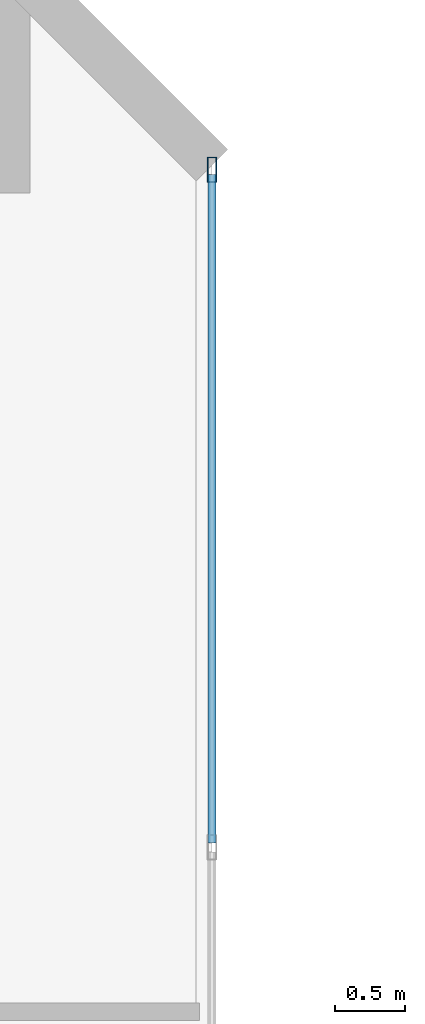
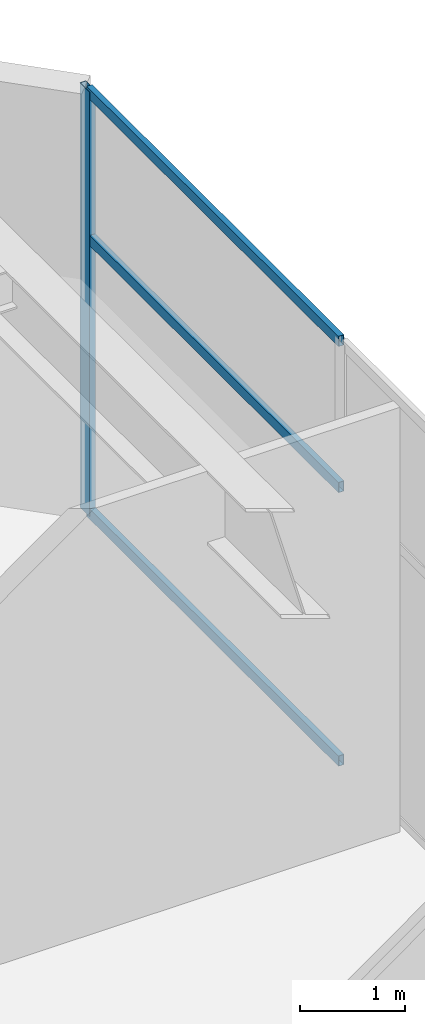
# One storey, part 19 of 29: 4 members, 1 element without a shape of its own.
"""IFC4 building model written with IfcOpenShell, lengths in metres."""

from ifc_helpers import new_model, si_unit, direction, frame, origin, origin_2d, place, context, subcontext, project, spatial, hollow_rectangle, extrude, material, layer, layer_set, material_profile, profile_set, type_object, element, aggregate, save


model = new_model("IFC4")

# Units and contexts
model_context = context("Model", 3, precision=1e-05, world=origin(), true_north=direction((0.0, 1.0)))
body_context = subcontext(model_context, "Body", "Model", "MODEL_VIEW")
ifc_project = project(units=[si_unit("LENGTHUNIT", "METRE"), si_unit("AREAUNIT", "SQUARE_METRE"), si_unit("VOLUMEUNIT", "CUBIC_METRE"), si_unit("PLANEANGLEUNIT", "RADIAN"), si_unit("MASSUNIT", "GRAM", prefix="KILO")], contexts=[model_context])

# Site, building, storey
site_placement = place(None, origin())
site = spatial("IfcSite", under=ifc_project, at=site_placement, CompositionType="ELEMENT")
building_placement = place(site_placement, origin())
building = spatial("IfcBuilding", under=site, at=building_placement, Name="Mawjaban Terraces University", CompositionType="ELEMENT")
storey_placement = place(building_placement, frame((0.0, 0.0, 15.60009765625)))
storey = spatial("IfcBuildingStorey", under=building, at=storey_placement, Name="L03", CompositionType="ELEMENT", Elevation=15.60009765625)

# Curtain wall, members
ifc_material_1 = material(Name="Anodised aluminium 6063-T6 and solar-control low-E glass", Category="aluminium")
ifc_layer = layer(ifc_material_1, 0.175048828125)
ifc_layer_set = layer_set([ifc_layer], Name="Anodised aluminium 6063-T6 and solar-control low-E glass")
curtain_wall_type = type_object("IfcCurtainWallType", Name="CWSystem_02_PodiumLibrary", PredefinedType="NOTDEFINED", material=ifc_layer_set)
curtain_wall_placement = place(storey_placement, origin())
curtain_wall = element("IfcCurtainWall", 1, at=curtain_wall_placement, inside=storey, type_object=curtain_wall_type, Name="L03 Curtain Wall CW-02 Run 6.1", PredefinedType="NOTDEFINED")
ifc_material_2 = material(Name="Anodised aluminium 6063-T6", Category="aluminium")
ifc_material_profile_1 = material_profile(ifc_material_2, hollow_rectangle(XDim=0.06494140625, YDim=0.179931640625, WallThickness=0.00390625, at=origin_2d()), Name="ALU180X65X4")
ifc_profile_set_1 = profile_set([ifc_material_profile_1], Name="Anodised aluminium 6063-T6")
member_type_1 = type_object("IfcMemberType", Name="Mullion_CW-02", PredefinedType="MULLION", material=ifc_profile_set_1)
member_1_placement = place(storey_placement, frame((54.0, 51.467529296875, 0.0), z_axis=(0.0, 0.0, 1.0), x_axis=(-1.0, 0.0, 0.0)))
member_1 = element("IfcMember", 2, at=member_1_placement, type_object=member_type_1, Name="CW-02 mullion 5", PredefinedType="MULLION", context=body_context, shape_type="SweptSolid", body=[
    extrude(hollow_rectangle(XDim=0.06494140625, YDim=0.179931640625, WallThickness=0.00390625, at=origin_2d()), origin(), (0.0, 0.0, 1.0), 4.919921875),
])
ifc_material_profile_2 = material_profile(ifc_material_2, hollow_rectangle(XDim=0.06005859375, YDim=0.1201171875, WallThickness=0.00341796875, at=origin_2d()), Name="ALU120X60X3.5")
ifc_profile_set_2 = profile_set([ifc_material_profile_2], Name="Anodised aluminium 6063-T6")
member_type_2 = type_object("IfcMemberType", Name="Transom_CW-02", PredefinedType="NOTDEFINED", material=ifc_profile_set_2)
member_2_placement = place(storey_placement, frame((54.0, 46.657470703125, 0.02978515625), z_axis=(0.0, 1.0, 0.0), x_axis=(-1.0, 0.0, 0.0)))
member_2 = element("IfcMember", 3, at=member_2_placement, type_object=member_type_2, Name="CW-02 transom 4.1", ObjectType="TRANSOM", PredefinedType="USERDEFINED", context=body_context, shape_type="SweptSolid", body=[
    extrude(hollow_rectangle(XDim=0.06005859375, YDim=0.1201171875, WallThickness=0.00341796875, at=origin_2d()), origin(), (0.0, 0.0, 1.0), 4.777587890625),
])
member_3_placement = place(storey_placement, frame((54.0, 46.657470703125, 3.197998046875), z_axis=(0.0, 1.0, 0.0), x_axis=(-1.0, 0.0, 0.0)))
member_3 = element("IfcMember", 4, at=member_3_placement, type_object=member_type_2, Name="CW-02 transom 4.2", ObjectType="TRANSOM", PredefinedType="USERDEFINED", context=body_context, shape_type="SweptSolid", body=[
    extrude(hollow_rectangle(XDim=0.06005859375, YDim=0.1201171875, WallThickness=0.00341796875, at=origin_2d()), origin(), (0.0, 0.0, 1.0), 4.777587890625),
])
member_4_placement = place(storey_placement, frame((54.0, 46.657470703125, 4.889892578125), z_axis=(0.0, 1.0, 0.0), x_axis=(-1.0, 0.0, 0.0)))
member_4 = element("IfcMember", 5, at=member_4_placement, type_object=member_type_2, Name="CW-02 transom 4.3", ObjectType="TRANSOM", PredefinedType="USERDEFINED", context=body_context, shape_type="SweptSolid", body=[
    extrude(hollow_rectangle(XDim=0.06005859375, YDim=0.1201171875, WallThickness=0.00341796875, at=origin_2d()), origin(), (0.0, 0.0, 1.0), 4.777587890625),
])
aggregate(curtain_wall, [member_1, member_2, member_3, member_4])

save(model, "model.ifc")
